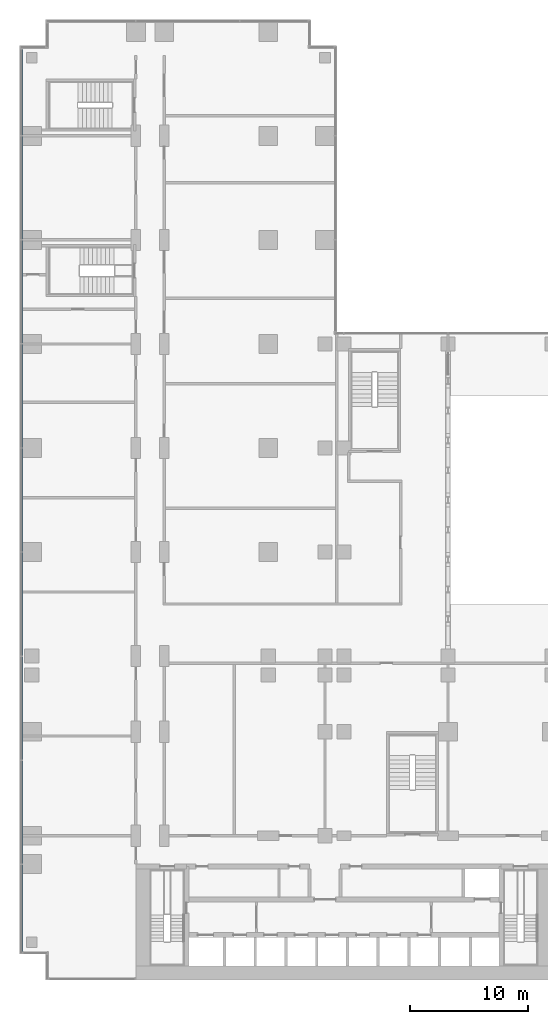
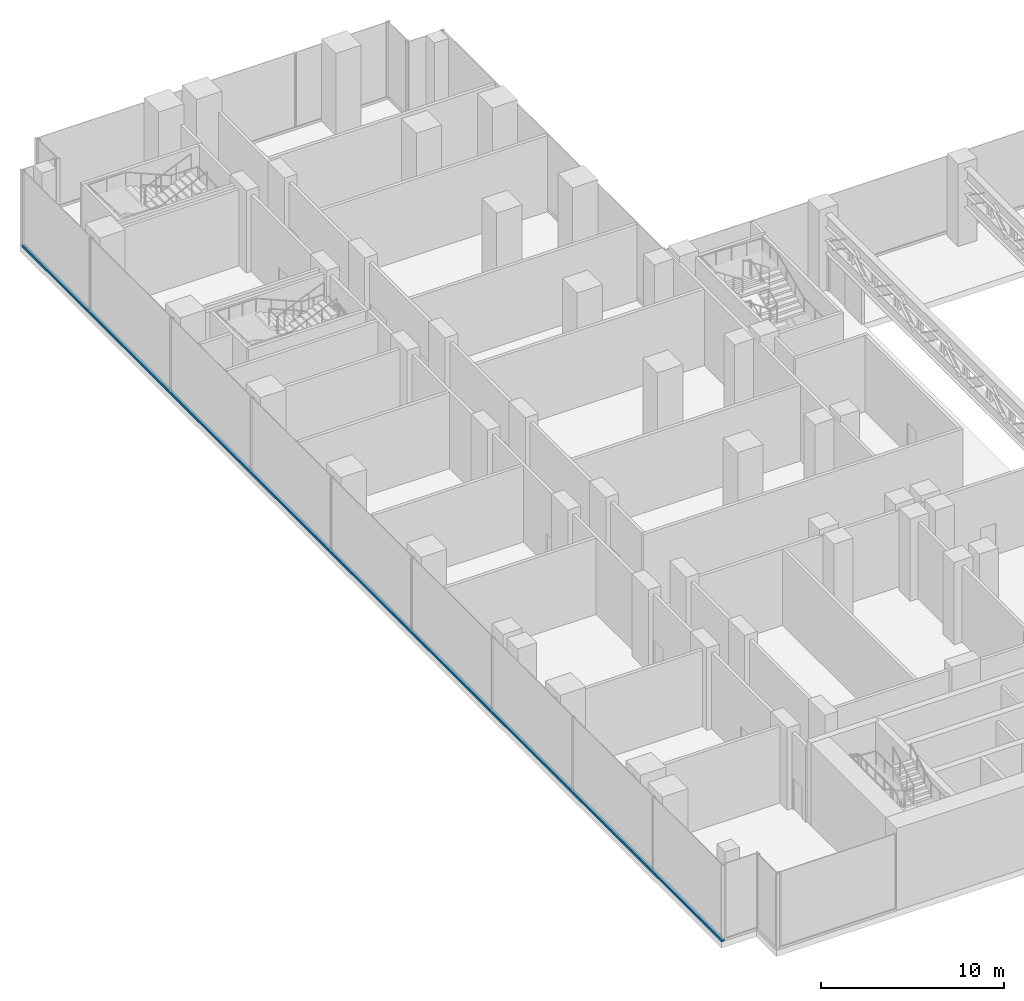
# One storey, part 6 of 30: 1 member, 1 element without a shape of its own.
"""IFC4 building model written with IfcOpenShell, lengths in metres."""

from ifc_helpers import new_model, si_unit, direction, frame, origin, origin_2d, place, context, subcontext, project, spatial, rectangle, extrude, material, material_profile, profile_set, type_object, element, aggregate, save


model = new_model("IFC4")

# Units and contexts
model_context = context("Model", 3, precision=1e-05, world=origin(), true_north=direction((0.0, 1.0)))
body_context = subcontext(model_context, "Body", "Model", "MODEL_VIEW")
ifc_project = project(units=[si_unit("LENGTHUNIT", "METRE"), si_unit("AREAUNIT", "SQUARE_METRE"), si_unit("VOLUMEUNIT", "CUBIC_METRE"), si_unit("PLANEANGLEUNIT", "RADIAN"), si_unit("MASSUNIT", "GRAM", prefix="KILO")], contexts=[model_context])

# Site, building, storey
site_placement = place(None, origin())
site = spatial("IfcSite", under=ifc_project, at=site_placement, CompositionType="ELEMENT")
building_placement = place(site_placement, origin())
building = spatial("IfcBuilding", under=site, at=building_placement, Name="Kemantara Hotel Tower", CompositionType="ELEMENT")
storey_placement = place(building_placement, frame((0.0, 0.0, 23.5)))
storey = spatial("IfcBuildingStorey", under=building, at=storey_placement, Name="L04", CompositionType="ELEMENT", Elevation=23.5)

# Curtain wall, member
ifc_material_1 = material(Name="Laminated tinted insulated glass 44 mm", Category="glass")
curtain_wall_type = type_object("IfcCurtainWallType", Name="PODIUM GLASS CURTAIN WALL", PredefinedType="USERDEFINED", material=ifc_material_1)
curtain_wall_placement = place(storey_placement, origin())
curtain_wall = element("IfcCurtainWall", 1, at=curtain_wall_placement, inside=storey, type_object=curtain_wall_type, Name="CW1 L04 POD-R16-1", ObjectType="PODIUM GLASS CURTAIN WALL", PredefinedType="USERDEFINED")
ifc_material_2 = material(Name="Aluminium 6063-T6 bronze anodised", Category="aluminium")
ifc_material_profile = material_profile(ifc_material_2, rectangle(XDim=0.199951171875, YDim=0.14990234375, at=origin_2d()), Name="PODIUM GLASS CURTAIN WALL TRANSOM")
ifc_profile_set = profile_set([ifc_material_profile], Name="Aluminium 6063-T6 bronze anodised")
member_type = type_object("IfcMemberType", Name="PODIUM GLASS CURTAIN WALL TRANSOM", PredefinedType="USERDEFINED", material=ifc_profile_set)
member_placement = place(storey_placement, frame((0.10009765625, 78.800048828125, 0.074951171875), z_axis=(0.0, -1.0, 0.0), x_axis=(1.0, 0.0, 0.0)))
member = element("IfcMember", 2, at=member_placement, type_object=member_type, Name="CW1 sill transom POD-R16-1", ObjectType="TRANSOM", PredefinedType="USERDEFINED", context=body_context, shape_type="SweptSolid", body=[
    extrude(rectangle(XDim=0.199951171875, YDim=0.14990234375, at=origin_2d()), origin(), (0.0, 0.0, 1.0), 76.60009765625),
])
aggregate(curtain_wall, [member])

save(model, "model.ifc")
